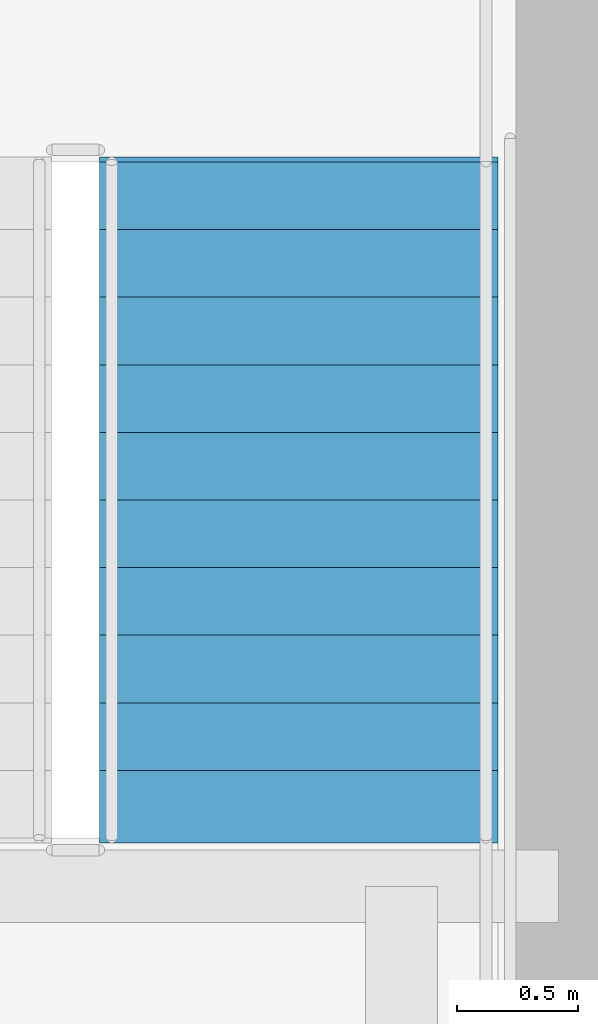
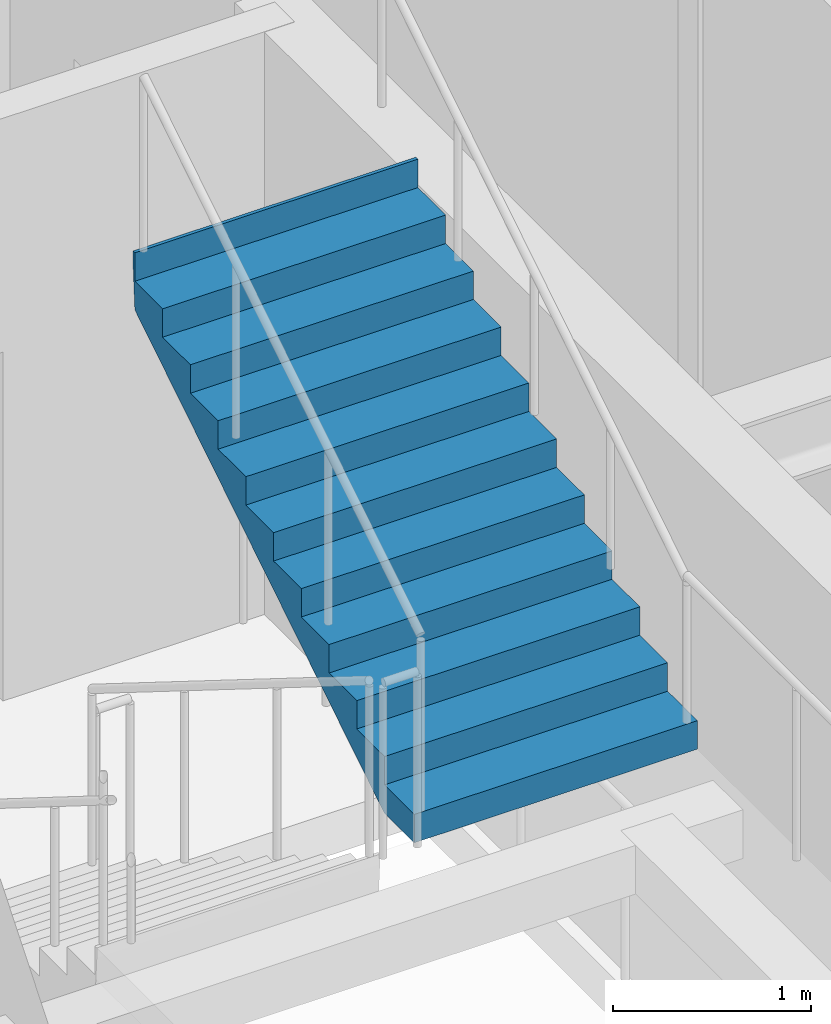
# One storey, part 32 of 38: 1 stair flight, 1 element without a shape of its own.
"""IFC4 building model written with IfcOpenShell, lengths in metres."""

from ifc_helpers import new_model, si_unit, direction, frame, origin, place, context, subcontext, project, spatial, polygons, material, type_object, element, aggregate, save


model = new_model("IFC4")

# Units and contexts
model_context = context("Model", 3, precision=1e-05, world=origin(), true_north=direction((0.0, 1.0)))
body_context = subcontext(model_context, "Body", "Model", "MODEL_VIEW")
ifc_project = project(units=[si_unit("LENGTHUNIT", "METRE"), si_unit("AREAUNIT", "SQUARE_METRE"), si_unit("VOLUMEUNIT", "CUBIC_METRE"), si_unit("PLANEANGLEUNIT", "RADIAN"), si_unit("MASSUNIT", "GRAM", prefix="KILO")], contexts=[model_context])

# Site, building, storey
site_placement = place(None, origin())
site = spatial("IfcSite", under=ifc_project, at=site_placement, CompositionType="ELEMENT")
building_placement = place(site_placement, origin())
building = spatial("IfcBuilding", under=site, at=building_placement, Name="Serunith Strait Residences", CompositionType="ELEMENT")
storey_placement = place(building_placement, frame((0.0, 0.0, 241.25)))
storey = spatial("IfcBuildingStorey", under=building, at=storey_placement, Name="L60", CompositionType="ELEMENT", Elevation=241.25)

# Stair, stair flight
ifc_material = material(Name="Concrete C50/60", Category="concrete")
stair_type = type_object("IfcStairType", Name="STR-CORE-2", PredefinedType="HALF_TURN_STAIR", material=ifc_material)
stair_placement = place(storey_placement, origin())
stair = element("IfcStair", 1, at=stair_placement, inside=storey, type_object=stair_type, Name="L60 Protected Escape Stair ST-2", PredefinedType="HALF_TURN_STAIR")
stair_flight_type = type_object("IfcStairFlightType", Name="FLT-CORE-2", PredefinedType="STRAIGHT", material=ifc_material)
stair_flight_placement = place(storey_placement, frame((40.324951171875, 20.570068359375, 1.925048828125), z_axis=(0.0, 0.0, 1.0), x_axis=(0.0, 1.0, 0.0)))
stair_flight = element("IfcStairFlight", 2, at=stair_flight_placement, type_object=stair_flight_type, Name="ST-2 flight 2", NumberOfRisers=11, NumberOfTreads=10, PredefinedType="STRAIGHT", RiserHeight=0.175, TreadLength=0.28, context=body_context, shape_type="Tessellation", body=[
    polygons([(-0.02001953125, -0.824951171875, 0.0), (-0.02001953125, -0.824951171875, 0.175048828125), (0.280029296875, -0.824951171875, 0.175048828125), (0.280029296875, -0.824951171875, 0.35009765625), (0.56005859375, -0.824951171875, 0.35009765625), (0.56005859375, -0.824951171875, 0.52490234375), (0.840087890625, -0.824951171875, 0.52490234375), (0.840087890625, -0.824951171875, 0.699951171875), (1.1201171875, -0.824951171875, 0.699951171875), (1.1201171875, -0.824951171875, 0.875), (1.39990234375, -0.824951171875, 0.875), (1.39990234375, -0.824951171875, 1.050048828125), (1.679931640625, -0.824951171875, 1.050048828125), (1.679931640625, -0.824951171875, 1.22509765625), (1.9599609375, -0.824951171875, 1.22509765625), (1.9599609375, -0.824951171875, 1.39990234375), (2.239990234375, -0.824951171875, 1.39990234375), (2.239990234375, -0.824951171875, 1.574951171875), (2.52001953125, -0.824951171875, 1.574951171875), (2.52001953125, -0.824951171875, 1.75), (2.800048828125, -0.824951171875, 1.75), (2.800048828125, -0.824951171875, 1.925048828125), (2.820068359375, -0.824951171875, 1.925048828125), (2.820068359375, -0.824951171875, 1.864990234375), (2.800048828125, -0.824951171875, 1.5732421875), (0.28271484375, -0.824951171875, 0.0), (-0.02001953125, -0.41259765625, 0.0), (-0.02001953125, -0.41259765625, 0.175048828125), (0.280029296875, -0.41259765625, 0.175048828125), (0.280029296875, -0.41259765625, 0.35009765625), (0.56005859375, -0.41259765625, 0.35009765625), (0.56005859375, -0.41259765625, 0.52490234375), (0.840087890625, -0.41259765625, 0.52490234375), (0.840087890625, -0.41259765625, 0.699951171875), (1.1201171875, -0.41259765625, 0.699951171875), (1.1201171875, -0.41259765625, 0.875), (1.39990234375, -0.41259765625, 0.875), (1.39990234375, -0.41259765625, 1.050048828125), (1.679931640625, -0.41259765625, 1.050048828125), (1.679931640625, -0.41259765625, 1.22509765625), (1.9599609375, -0.41259765625, 1.22509765625), (1.9599609375, -0.41259765625, 1.39990234375), (2.239990234375, -0.41259765625, 1.39990234375), (2.239990234375, -0.41259765625, 1.574951171875), (2.52001953125, -0.41259765625, 1.574951171875), (2.52001953125, -0.41259765625, 1.75), (2.800048828125, -0.41259765625, 1.75), (2.800048828125, -0.41259765625, 1.925048828125), (2.820068359375, -0.41259765625, 1.925048828125), (2.820068359375, -0.41259765625, 1.864990234375), (2.800048828125, -0.41259765625, 1.5732421875), (0.28271484375, -0.41259765625, 0.0), (-0.02001953125, 0.0, 0.0), (-0.02001953125, 0.0, 0.175048828125), (0.280029296875, 0.0, 0.175048828125), (0.280029296875, 0.0, 0.35009765625), (0.56005859375, 0.0, 0.35009765625), (0.56005859375, 0.0, 0.52490234375), (0.840087890625, 0.0, 0.52490234375), (0.840087890625, 0.0, 0.699951171875), (1.1201171875, 0.0, 0.699951171875), (1.1201171875, 0.0, 0.875), (1.39990234375, 0.0, 0.875), (1.39990234375, 0.0, 1.050048828125), (1.679931640625, 0.0, 1.050048828125), (1.679931640625, 0.0, 1.22509765625), (1.9599609375, 0.0, 1.22509765625), (1.9599609375, 0.0, 1.39990234375), (2.239990234375, 0.0, 1.39990234375), (2.239990234375, 0.0, 1.574951171875), (2.52001953125, 0.0, 1.574951171875), (2.52001953125, 0.0, 1.75), (2.800048828125, 0.0, 1.75), (2.800048828125, 0.0, 1.925048828125), (2.820068359375, 0.0, 1.925048828125), (2.820068359375, 0.0, 1.864990234375), (2.800048828125, 0.0, 1.5732421875), (0.28271484375, 0.0, 0.0), (-0.02001953125, 0.41259765625, 0.0), (-0.02001953125, 0.41259765625, 0.175048828125), (0.280029296875, 0.41259765625, 0.175048828125), (0.280029296875, 0.41259765625, 0.35009765625), (0.56005859375, 0.41259765625, 0.35009765625), (0.56005859375, 0.41259765625, 0.52490234375), (0.840087890625, 0.41259765625, 0.52490234375), (0.840087890625, 0.41259765625, 0.699951171875), (1.1201171875, 0.41259765625, 0.699951171875), (1.1201171875, 0.41259765625, 0.875), (1.39990234375, 0.41259765625, 0.875), (1.39990234375, 0.41259765625, 1.050048828125), (1.679931640625, 0.41259765625, 1.050048828125), (1.679931640625, 0.41259765625, 1.22509765625), (1.9599609375, 0.41259765625, 1.22509765625), (1.9599609375, 0.41259765625, 1.39990234375), (2.239990234375, 0.41259765625, 1.39990234375), (2.239990234375, 0.41259765625, 1.574951171875), (2.52001953125, 0.41259765625, 1.574951171875), (2.52001953125, 0.41259765625, 1.75), (2.800048828125, 0.41259765625, 1.75), (2.800048828125, 0.41259765625, 1.925048828125), (2.820068359375, 0.41259765625, 1.925048828125), (2.820068359375, 0.41259765625, 1.864990234375), (2.800048828125, 0.41259765625, 1.5732421875), (0.28271484375, 0.41259765625, 0.0), (-0.02001953125, 0.824951171875, 0.0), (-0.02001953125, 0.824951171875, 0.175048828125), (0.280029296875, 0.824951171875, 0.175048828125), (0.280029296875, 0.824951171875, 0.35009765625), (0.56005859375, 0.824951171875, 0.35009765625), (0.56005859375, 0.824951171875, 0.52490234375), (0.840087890625, 0.824951171875, 0.52490234375), (0.840087890625, 0.824951171875, 0.699951171875), (1.1201171875, 0.824951171875, 0.699951171875), (1.1201171875, 0.824951171875, 0.875), (1.39990234375, 0.824951171875, 0.875), (1.39990234375, 0.824951171875, 1.050048828125), (1.679931640625, 0.824951171875, 1.050048828125), (1.679931640625, 0.824951171875, 1.22509765625), (1.9599609375, 0.824951171875, 1.22509765625), (1.9599609375, 0.824951171875, 1.39990234375), (2.239990234375, 0.824951171875, 1.39990234375), (2.239990234375, 0.824951171875, 1.574951171875), (2.52001953125, 0.824951171875, 1.574951171875), (2.52001953125, 0.824951171875, 1.75), (2.800048828125, 0.824951171875, 1.75), (2.800048828125, 0.824951171875, 1.925048828125), (2.820068359375, 0.824951171875, 1.925048828125), (2.820068359375, 0.824951171875, 1.864990234375), (2.800048828125, 0.824951171875, 1.5732421875), (0.28271484375, 0.824951171875, 0.0)], [[[1, 2, 28, 27]], [[2, 3, 29, 28]], [[3, 4, 30, 29]], [[4, 5, 31, 30]], [[5, 6, 32, 31]], [[6, 7, 33, 32]], [[7, 8, 34, 33]], [[8, 9, 35, 34]], [[9, 10, 36, 35]], [[10, 11, 37, 36]], [[11, 12, 38, 37]], [[12, 13, 39, 38]], [[13, 14, 40, 39]], [[14, 15, 41, 40]], [[15, 16, 42, 41]], [[16, 17, 43, 42]], [[17, 18, 44, 43]], [[18, 19, 45, 44]], [[19, 20, 46, 45]], [[20, 21, 47, 46]], [[21, 22, 48, 47]], [[22, 23, 49, 48]], [[23, 24, 50, 49]], [[24, 25, 51, 50]], [[25, 26, 52, 51]], [[26, 1, 27, 52]], [[27, 28, 54, 53]], [[28, 29, 55, 54]], [[29, 30, 56, 55]], [[30, 31, 57, 56]], [[31, 32, 58, 57]], [[32, 33, 59, 58]], [[33, 34, 60, 59]], [[34, 35, 61, 60]], [[35, 36, 62, 61]], [[36, 37, 63, 62]], [[37, 38, 64, 63]], [[38, 39, 65, 64]], [[39, 40, 66, 65]], [[40, 41, 67, 66]], [[41, 42, 68, 67]], [[42, 43, 69, 68]], [[43, 44, 70, 69]], [[44, 45, 71, 70]], [[45, 46, 72, 71]], [[46, 47, 73, 72]], [[47, 48, 74, 73]], [[48, 49, 75, 74]], [[49, 50, 76, 75]], [[50, 51, 77, 76]], [[51, 52, 78, 77]], [[52, 27, 53, 78]], [[53, 54, 80, 79]], [[54, 55, 81, 80]], [[55, 56, 82, 81]], [[56, 57, 83, 82]], [[57, 58, 84, 83]], [[58, 59, 85, 84]], [[59, 60, 86, 85]], [[60, 61, 87, 86]], [[61, 62, 88, 87]], [[62, 63, 89, 88]], [[63, 64, 90, 89]], [[64, 65, 91, 90]], [[65, 66, 92, 91]], [[66, 67, 93, 92]], [[67, 68, 94, 93]], [[68, 69, 95, 94]], [[69, 70, 96, 95]], [[70, 71, 97, 96]], [[71, 72, 98, 97]], [[72, 73, 99, 98]], [[73, 74, 100, 99]], [[74, 75, 101, 100]], [[75, 76, 102, 101]], [[76, 77, 103, 102]], [[77, 78, 104, 103]], [[78, 53, 79, 104]], [[79, 80, 106, 105]], [[80, 81, 107, 106]], [[81, 82, 108, 107]], [[82, 83, 109, 108]], [[83, 84, 110, 109]], [[84, 85, 111, 110]], [[85, 86, 112, 111]], [[86, 87, 113, 112]], [[87, 88, 114, 113]], [[88, 89, 115, 114]], [[89, 90, 116, 115]], [[90, 91, 117, 116]], [[91, 92, 118, 117]], [[92, 93, 119, 118]], [[93, 94, 120, 119]], [[94, 95, 121, 120]], [[95, 96, 122, 121]], [[96, 97, 123, 122]], [[97, 98, 124, 123]], [[98, 99, 125, 124]], [[99, 100, 126, 125]], [[100, 101, 127, 126]], [[101, 102, 128, 127]], [[102, 103, 129, 128]], [[103, 104, 130, 129]], [[104, 79, 105, 130]], [[26, 25, 24, 23, 22, 21, 20, 19, 18, 17, 16, 15, 14, 13, 12, 11, 10, 9, 8, 7, 6, 5, 4, 3, 2, 1]], [[105, 106, 107, 108, 109, 110, 111, 112, 113, 114, 115, 116, 117, 118, 119, 120, 121, 122, 123, 124, 125, 126, 127, 128, 129, 130]]], closed=True),
])
aggregate(stair, [stair_flight])

save(model, "model.ifc")
